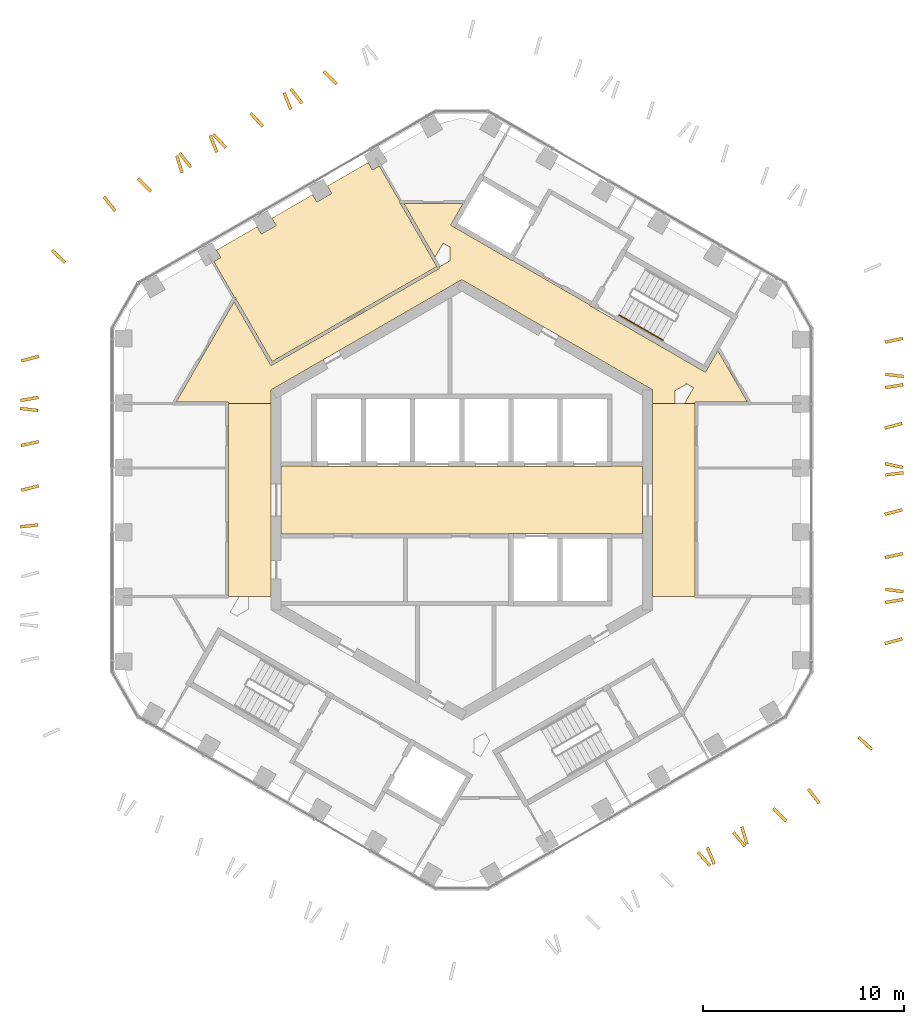
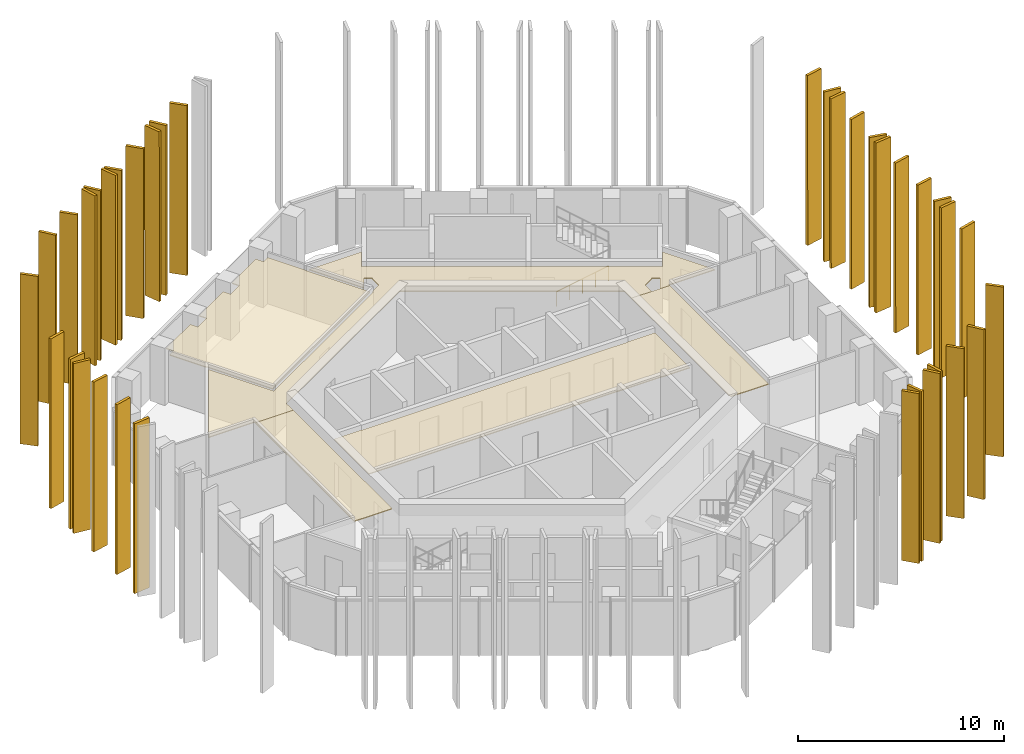
# One storey, part 17 of 18: 35 shading devices, 5 coverings, 2 railings.
"""IFC4 building model written with IfcOpenShell, lengths in metres."""

from ifc_helpers import new_model, si_unit, direction, frame, origin, origin_2d, place, context, subcontext, project, spatial, polyline, circle, outline, extrude, material, layer, layer_set, type_object, element, save


model = new_model("IFC4")

# Units and contexts
model_context = context("Model", 3, precision=1e-05, world=origin(), true_north=direction((0.0, 1.0)))
body_context = subcontext(model_context, "Body", "Model", "MODEL_VIEW")
ifc_project = project(units=[si_unit("LENGTHUNIT", "METRE"), si_unit("AREAUNIT", "SQUARE_METRE"), si_unit("VOLUMEUNIT", "CUBIC_METRE"), si_unit("PLANEANGLEUNIT", "RADIAN"), si_unit("MASSUNIT", "GRAM", prefix="KILO")], contexts=[model_context])

# Site, building, storey
site_placement = place(None, origin())
site = spatial("IfcSite", under=ifc_project, at=site_placement, CompositionType="ELEMENT")
building_placement = place(site_placement, origin())
building = spatial("IfcBuilding", under=site, at=building_placement, Name="Ayvan Gate Tower", CompositionType="ELEMENT")
storey_placement = place(building_placement, frame((0.0, 0.0, 218.89990234375)))
storey = spatial("IfcBuildingStorey", under=building, at=storey_placement, Name="L58", CompositionType="ELEMENT", Elevation=218.89990234375)

# Shading devices
ifc_material_1 = material(Name="Bronze anodised aluminium", Category="aluminium")
ifc_layer_1 = layer(ifc_material_1, 0.14990234375)
ifc_layer_set_1 = layer_set([ifc_layer_1], Name="Bronze anodised aluminium")
shading_device_type = type_object("IfcShadingDeviceType", Name="Bronze fin 900 x 150", PredefinedType="USERDEFINED", material=ifc_layer_set_1)
shading_device_1_placement = place(storey_placement, frame((-6.189697265625, 20.7685546875, 0.0), z_axis=(0.707242402739, 0.706971116815, 0.000154132561), x_axis=(-0.706971125213, 0.70724241114, 0.0)))
element("IfcShadingDevice", 1, at=shading_device_1_placement, inside=storey, type_object=shading_device_type, Name="Bronze fin FG22.1.3", ObjectType="FIN", PredefinedType="USERDEFINED", context=body_context, shape_type="SweptSolid", body=[
    extrude(outline(polyline([(0.0, 0.0), (0.8999384077507213, 0.0), (0.8997654762187762, 10.080078244735436), (-0.0001729315319450762, 10.080078244735436), (0.0, 0.0)])), origin(), (0.0, 0.0, -1.0), 0.14990234375),
])
shading_device_2_placement = place(storey_placement, frame((-7.90576171875, 19.809326171875, 0.0), z_axis=(0.787559375129, 0.616238760112, 0.000145537983), x_axis=(-0.61623876664, 0.787559383469, 1.5546e-08)))
element("IfcShadingDevice", 2, at=shading_device_2_placement, inside=storey, type_object=shading_device_type, Name="Bronze fin FG22.1.5", ObjectType="FIN", PredefinedType="USERDEFINED", context=body_context, shape_type="SweptSolid", body=[
    extrude(outline(polyline([(0.0, 0.0), (0.8999949628946475, 0.0), (0.8998278143136295, 10.080078217765529), (-1.669966338128427e-05, 10.08007824574654), (0.0, 0.0)])), origin(), (0.0, 0.0, -1.0), 0.14990234375),
])
shading_device_3_placement = place(storey_placement, frame((-8.444580078125, 19.471923828125, 0.0), z_axis=(0.929826909875, 0.36799714172, 0.000146145148), x_axis=(-0.367997145646, 0.929826919806, -2.5725e-08)))
element("IfcShadingDevice", 3, at=shading_device_3_placement, inside=storey, type_object=shading_device_type, Name="Bronze fin FG22.1.6", ObjectType="FIN", PredefinedType="USERDEFINED", context=body_context, shape_type="SweptSolid", body=[
    extrude(outline(polyline([(0.0, 0.0), (0.9000124049296467, 0.0), (0.8998701783586058, 10.080078255796698), (-5.061098833905557e-06, 10.080078209493905), (0.0, 0.0)])), origin(), (0.0, 0.0, -1.0), 0.14990234375),
])
shading_device_4_placement = place(storey_placement, frame((-9.85595703125, 18.662353515625, 0.0), z_axis=(0.729198712978, 0.684301991625, 0.000145771221), x_axis=(-0.684301998897, 0.729198720724, 1.4417e-08)))
element("IfcShadingDevice", 4, at=shading_device_4_placement, inside=storey, type_object=shading_device_type, Name="Bronze fin FG22.1.7", ObjectType="FIN", PredefinedType="USERDEFINED", context=body_context, shape_type="SweptSolid", body=[
    extrude(outline(polyline([(0.0, 0.0), (0.9000439708308932, 0.0), (0.900000271696828, 10.080078219122068), (0.00012336678363417827, 10.080078245070878), (0.0, 0.0)])), origin(), (0.0, 0.0, -1.0), 0.14990234375),
])
shading_device_5_placement = place(storey_placement, frame((-11.699951171875, 17.59765625, 0.0), z_axis=(0.729131031612, 0.684374104448, 0.000154600649), x_axis=(-0.684374112627, 0.729131040325, 0.0)))
element("IfcShadingDevice", 5, at=shading_device_5_placement, inside=storey, type_object=shading_device_type, Name="Bronze fin FG22.1.9", ObjectType="FIN", PredefinedType="USERDEFINED", context=body_context, shape_type="SweptSolid", body=[
    extrude(outline(polyline([(0.0, 0.0), (0.9000439752325704, 0.0), (0.9001673508189552, 10.080078245463794), (0.00012337558638494232, 10.080078245463794), (0.0, 0.0)])), origin(), (0.0, 0.0, -1.0), 0.14990234375),
])
shading_device_6_placement = place(storey_placement, frame((-12.13232421875, 17.3427734375, 0.0), z_axis=(0.929873316375, 0.367879859082, 0.000157405046), x_axis=(-0.367879863638, 0.929873327894, -7.854e-09)))
element("IfcShadingDevice", 6, at=shading_device_6_placement, inside=storey, type_object=shading_device_type, Name="Bronze fin FG22.1.10", ObjectType="FIN", PredefinedType="USERDEFINED", context=body_context, shape_type="SweptSolid", body=[
    extrude(outline(polyline([(0.0, 0.0), (0.9000124177528436, 0.0), (0.8998701655374355, 10.080078256941269), (8.476764003493819e-05, 10.08007824280581), (0.0, 0.0)])), origin(), (0.0, 0.0, -1.0), 0.14990234375),
])
shading_device_7_placement = place(storey_placement, frame((-13.43701171875, 16.61572265625, 0.0), z_axis=(0.787545056681, 0.616257058302, 0.000147612502), x_axis=(-0.616257065015, 0.787545065263, -1.2336e-08)))
element("IfcShadingDevice", 7, at=shading_device_7_placement, inside=storey, type_object=shading_device_type, Name="Bronze fin FG22.1.11", ObjectType="FIN", PredefinedType="USERDEFINED", context=body_context, shape_type="SweptSolid", body=[
    extrude(outline(polyline([(0.0, 0.0), (0.9001872366298778, -1.3552527156068805e-20), (0.9001702922327716, 10.080078245923879), (0.0001753273473427226, 10.08007822371745), (0.0, 0.0)])), origin(), (0.0, 0.0, -1.0), 0.14990234375),
])
shading_device_8_placement = place(storey_placement, frame((-13.86181640625, 16.31201171875, 0.0), z_axis=(0.956042541159, 0.293227971909, 0.000126430311), x_axis=(-0.293227974252, 0.9560425488, -5.027e-09)))
element("IfcShadingDevice", 8, at=shading_device_8_placement, inside=storey, type_object=shading_device_type, Name="Bronze fin FG22.1.12", ObjectType="FIN", PredefinedType="USERDEFINED", context=body_context, shape_type="SweptSolid", body=[
    extrude(outline(polyline([(0.0, 0.0), (0.9001536681363617, -6.776263578034403e-21), (0.9000447441127365, 10.080078210088082), (0.00012448480176556774, 10.080078201038253), (0.0, 0.0)])), origin(), (0.0, 0.0, -1.0), 0.14990234375),
])
shading_device_9_placement = place(storey_placement, frame((-15.43798828125, 15.428955078125, 0.0), z_axis=(0.707242404502, 0.706971118578, 0.000137009642), x_axis=(-0.706971125213, 0.70724241114, 0.0)))
element("IfcShadingDevice", 9, at=shading_device_9_placement, inside=storey, type_object=shading_device_type, Name="Bronze fin FG22.1.13", ObjectType="FIN", PredefinedType="USERDEFINED", context=body_context, shape_type="SweptSolid", body=[
    extrude(outline(polyline([(0.0, 0.0), (0.8999384077507213, 0.0), (0.8999381428230584, 10.08007821960981), (-2.6492766288025143e-07, 10.08007821960981), (0.0, 0.0)])), origin(), (0.0, 0.0, -1.0), 0.14990234375),
])
shading_device_10_placement = place(storey_placement, frame((-17.205078125, 14.439453125, 0.0), z_axis=(0.784559801575, 0.620053139637, 0.000147572781), x_axis=(-0.620053146391, 0.784559810117, 1.2411e-08)))
element("IfcShadingDevice", 10, at=shading_device_10_placement, inside=storey, type_object=shading_device_type, Name="Bronze fin FG22.1.15", ObjectType="FIN", PredefinedType="USERDEFINED", context=body_context, shape_type="SweptSolid", body=[
    extrude(outline(polyline([(0.0, 0.0), (0.8999971834735883, 0.0), (0.9001795806229507, 10.080078223588533), (-9.145773029560648e-06, 10.080078245930503), (0.0, 0.0)])), origin(), (0.0, 0.0, -1.0), 0.14990234375),
])
shading_device_11_placement = place(storey_placement, frame((-19.705810546875, 11.869873046875, 0.0), z_axis=(0.690159573719, 0.723657198932, 0.000145734734), x_axis=(-0.723657206618, 0.690159581046, 1.4304e-08)))
element("IfcShadingDevice", 11, at=shading_device_11_placement, inside=storey, type_object=shading_device_type, Name="Bronze fin FG22.2.16", ObjectType="FIN", PredefinedType="USERDEFINED", context=body_context, shape_type="SweptSolid", body=[
    extrude(outline(polyline([(0.0, 0.0), (0.9000203616792715, 1.3552527156068805e-20), (0.9000532183884126, 10.080078219169192), (-0.00013563928232519968, 10.080078244919159), (0.0, 0.0)])), origin(), (0.0, 0.0, -1.0), 0.14990234375),
])
shading_device_12_placement = place(storey_placement, frame((-21.081787109375, 7.231201171875, 0.0), z_axis=(-0.256075224409, 0.96665684553, 0.000149778481), x_axis=(-0.966656856373, -0.256075227282, 5.203e-09)))
element("IfcShadingDevice", 12, at=shading_device_12_placement, inside=storey, type_object=shading_device_type, Name="Bronze fin FG22.3.17", ObjectType="FIN", PredefinedType="USERDEFINED", context=body_context, shape_type="SweptSolid", body=[
    extrude(outline(polyline([(0.0, 0.0), (0.8998860824732329, -6.776263578034403e-21), (0.900025244905288, 10.080078233383514), (-9.683777702019761e-05, 10.080078242748646), (0.0, 0.0)])), origin(), (0.0, 0.0, -1.0), 0.14990234375),
])
shading_device_13_placement = place(storey_placement, frame((-21.103271484375, 5.18359375, 0.0), z_axis=(-0.170597136293, 0.985340852388, 0.000147322279), x_axis=(-0.985340863081, -0.170597138144, 0.0)))
element("IfcShadingDevice", 13, at=shading_device_13_placement, inside=storey, type_object=shading_device_type, Name="Bronze fin FG22.3.19", ObjectType="FIN", PredefinedType="USERDEFINED", context=body_context, shape_type="SweptSolid", body=[
    extrude(outline(polyline([(0.0, 0.0), (0.9001584363929698, 0.0), (0.9001677728103975, 10.080078234388273), (9.336417427810627e-06, 10.080078234388273), (0.0, 0.0)])), origin(), (0.0, 0.0, -1.0), 0.14990234375),
])
shading_device_14_placement = place(storey_placement, frame((-21.09375, 4.532958984375, 0.0), z_axis=(0.11555064787, 0.993301578638, 0.000147145905), x_axis=(-0.993301589392, 0.115550649121, 0.0)))
element("IfcShadingDevice", 14, at=shading_device_14_placement, inside=storey, type_object=shading_device_type, Name="Bronze fin FG22.3.20", ObjectType="FIN", PredefinedType="USERDEFINED", context=body_context, shape_type="SweptSolid", body=[
    extrude(outline(polyline([(0.0, 0.0), (0.9000720207219933, 0.0), (0.9001452623466676, 10.08007823412651), (7.324162467432557e-05, 10.08007823412651), (0.0, 0.0)])), origin(), (0.0, 0.0, -1.0), 0.14990234375),
])
shading_device_15_placement = place(storey_placement, frame((-21.09521484375, 2.975341796875, 0.0), z_axis=(-0.208046907722, 0.978118838652, 0.000147179809), x_axis=(-0.978118849246, -0.208046909975, 0.0)))
element("IfcShadingDevice", 15, at=shading_device_15_placement, inside=storey, type_object=shading_device_type, Name="Bronze fin FG22.3.21", ObjectType="FIN", PredefinedType="USERDEFINED", context=body_context, shape_type="SweptSolid", body=[
    extrude(outline(polyline([(0.0, 0.0), (0.9000655640456651, 3.3881317890172014e-21), (0.9001315217142702, 10.080078234176804), (6.595766860521405e-05, 10.080078234176804), (0.0, 0.0)])), origin(), (0.0, 0.0, -1.0), 0.14990234375),
])
shading_device_16_placement = place(storey_placement, frame((-21.085693359375, 0.77978515625, 0.0), z_axis=(-0.242790931465, 0.970078626727, 0.000146852904), x_axis=(-0.970078637187, -0.242790934083, 0.0)))
element("IfcShadingDevice", 16, at=shading_device_16_placement, inside=storey, type_object=shading_device_type, Name="Bronze fin FG22.3.23", ObjectType="FIN", PredefinedType="USERDEFINED", context=body_context, shape_type="SweptSolid", body=[
    extrude(outline(polyline([(0.0, 0.0), (0.8999753644008668, -6.776263578034403e-21), (0.9000941795784336, 10.080078233692353), (0.0001188151775668181, 10.080078233692353), (0.0, 0.0)])), origin(), (0.0, 0.0, -1.0), 0.14990234375),
])
shading_device_17_placement = place(storey_placement, frame((-21.111572265625, -1.164794921875, 0.0), z_axis=(-0.112039218929, 0.993703774662, 0.000147119305), x_axis=(-0.993703785416, -0.112039220141, 0.0)))
element("IfcShadingDevice", 17, at=shading_device_17_placement, inside=storey, type_object=shading_device_type, Name="Bronze fin FG22.3.25", ObjectType="FIN", PredefinedType="USERDEFINED", context=body_context, shape_type="SweptSolid", body=[
    extrude(outline(polyline([(0.0, 0.0), (0.8999534091546, -1.6940658945086007e-21), (0.8998749256427422, 10.080078234087063), (-7.848351185778366e-05, 10.080078234087063), (0.0, 0.0)])), origin(), (0.0, 0.0, -1.0), 0.14990234375),
])
shading_device_18_placement = place(storey_placement, frame((11.697998046875, -17.60107421875, 0.0), z_axis=(-0.73384581592, -0.679316052889, 0.000136907757), x_axis=(0.679316059255, -0.733845822798, 0.0)))
element("IfcShadingDevice", 18, at=shading_device_18_placement, inside=storey, type_object=shading_device_type, Name="Bronze fin FG22.7.57", ObjectType="FIN", PredefinedType="USERDEFINED", context=body_context, shape_type="SweptSolid", body=[
    extrude(outline(polyline([(0.0, 0.0), (0.8999170808211545, 0.0), (0.8998638290989451, 10.080078219469154), (-5.3251722209435304e-05, 10.080078219469154), (0.0, 0.0)])), origin(), (0.0, 0.0, -1.0), 0.14990234375),
])
shading_device_19_placement = place(storey_placement, frame((12.160400390625, -17.330322265625, 0.0), z_axis=(-0.925577191903, -0.378558901319, 0.000141634188), x_axis=(0.378558905114, -0.925577201188, -1.7782e-08)))
element("IfcShadingDevice", 19, at=shading_device_19_placement, inside=storey, type_object=shading_device_type, Name="Bronze fin FG22.7.58", ObjectType="FIN", PredefinedType="USERDEFINED", context=body_context, shape_type="SweptSolid", body=[
    extrude(outline(polyline([(0.0, 0.0), (0.8999411823943508, -1.3552527156068805e-20), (0.9000435908054206, 10.080078242108842), (9.986803376001265e-06, 10.08007821010198), (0.0, 0.0)])), origin(), (0.0, 0.0, -1.0), 0.14990234375),
])
shading_device_20_placement = place(storey_placement, frame((13.469482421875, -16.594970703125, 0.0), z_axis=(-0.780114025682, -0.625637343614, 0.000145637049), x_axis=(0.625637350251, -0.780114033953, 1.5408e-08)))
element("IfcShadingDevice", 20, at=shading_device_20_placement, inside=storey, type_object=shading_device_type, Name="Bronze fin FG22.7.59", ObjectType="FIN", PredefinedType="USERDEFINED", context=body_context, shape_type="SweptSolid", body=[
    extrude(outline(polyline([(0.0, 0.0), (0.9001350900094673, 0.0), (0.8999843891818949, 10.080078218033472), (2.0426661410725266e-06, 10.080078245768792), (0.0, 0.0)])), origin(), (0.0, 0.0, -1.0), 0.14990234375),
])
shading_device_21_placement = place(storey_placement, frame((13.874267578125, -16.30126953125, 0.0), z_axis=(-0.958291662014, -0.285792007341, 0.000138037496), x_axis=(0.285792010062, -0.958291671144, -1.2594e-08)))
element("IfcShadingDevice", 21, at=shading_device_21_placement, inside=storey, type_object=shading_device_type, Name="Bronze fin FG22.7.60", ObjectType="FIN", PredefinedType="USERDEFINED", context=body_context, shape_type="SweptSolid", body=[
    extrude(outline(polyline([(0.0, 0.0), (0.8998108322942621, 6.776263578034403e-21), (0.8999953880625641, 10.080078232368804), (-0.00011917559917996192, 10.080078209701364), (0.0, 0.0)])), origin(), (0.0, 0.0, -1.0), 0.14990234375),
])
shading_device_22_placement = place(storey_placement, frame((15.460205078125, -15.416259765625, 0.0), z_axis=(-0.707242402739, -0.706971116815, 0.000154132561), x_axis=(0.706971125213, -0.70724241114, 0.0)))
element("IfcShadingDevice", 22, at=shading_device_22_placement, inside=storey, type_object=shading_device_type, Name="Bronze fin FG22.7.61", ObjectType="FIN", PredefinedType="USERDEFINED", context=body_context, shape_type="SweptSolid", body=[
    extrude(outline(polyline([(0.0, 0.0), (0.8999384077507213, 0.0), (0.8997654762187762, 10.080078244735436), (-0.0001729315319450762, 10.080078244735436), (0.0, 0.0)])), origin(), (0.0, 0.0, -1.0), 0.14990234375),
])
shading_device_23_placement = place(storey_placement, frame((17.196533203125, -14.4462890625, 0.0), z_axis=(-0.791240242292, -0.611505402409, 0.000147657191), x_axis=(0.611505409077, -0.791240250916, 1.2249e-08)))
element("IfcShadingDevice", 23, at=shading_device_23_placement, inside=storey, type_object=shading_device_type, Name="Bronze fin FG22.7.63", ObjectType="FIN", PredefinedType="USERDEFINED", context=body_context, shape_type="SweptSolid", body=[
    extrude(outline(polyline([(0.0, 0.0), (0.8998021884107748, 1.3552527156068805e-20), (0.8999692567822267, 10.08007822386203), (-2.6105517931868006e-05, 10.080078245908627), (0.0, 0.0)])), origin(), (0.0, 0.0, -1.0), 0.14990234375),
])
shading_device_24_placement = place(storey_placement, frame((19.712158203125, -11.864013671875, 0.0), z_axis=(-0.685977981066, -0.72762228405, 0.000145761776), x_axis=(0.727622291781, -0.685977988352, 1.4388e-08)))
element("IfcShadingDevice", 24, at=shading_device_24_placement, inside=storey, type_object=shading_device_type, Name="Bronze fin FG22.8.64", ObjectType="FIN", PredefinedType="USERDEFINED", context=body_context, shape_type="SweptSolid", body=[
    extrude(outline(polyline([(0.0, 0.0), (0.899813315700764, -1.3552527156068805e-20), (0.8998541290002842, 10.080078219135862), (-0.00012666179529246838, 10.080078245031709), (0.0, 0.0)])), origin(), (0.0, 0.0, -1.0), 0.14990234375),
])
shading_device_25_placement = place(storey_placement, frame((21.081298828125, -7.2236328125, 0.0), z_axis=(0.257730189349, -0.966216915121, 0.000149774675), x_axis=(0.966216925958, 0.25773019224, 5.237e-09)))
element("IfcShadingDevice", 25, at=shading_device_25_placement, inside=storey, type_object=shading_device_type, Name="Bronze fin FG22.9.65", ObjectType="FIN", PredefinedType="USERDEFINED", context=body_context, shape_type="SweptSolid", body=[
    extrude(outline(polyline([(0.0, 0.0), (0.8997905654210978, -6.776263578034403e-21), (0.8999322598663183, 10.080078233347606), (-9.419835896850436e-05, 10.080078242773027), (0.0, 0.0)])), origin(), (0.0, 0.0, -1.0), 0.14990234375),
])
shading_device_26_placement = place(storey_placement, frame((21.10546875, -5.175537109375, 0.0), z_axis=(0.158720600167, -0.987323528221, 0.000147322752), x_axis=(0.987323538935, 0.15872060189, 0.0)))
element("IfcShadingDevice", 26, at=shading_device_26_placement, inside=storey, type_object=shading_device_type, Name="Bronze fin FG22.9.67", ObjectType="FIN", PredefinedType="USERDEFINED", context=body_context, shape_type="SweptSolid", body=[
    extrude(outline(polyline([(0.0, 0.0), (0.8998344507546673, 0.0), (0.8998259058504691, 10.080078234388976), (-8.54490419829651e-06, 10.080078234388976), (0.0, 0.0)])), origin(), (0.0, 0.0, -1.0), 0.14990234375),
])
shading_device_27_placement = place(storey_placement, frame((21.09033203125, -4.525146484375, 0.0), z_axis=(-0.128307005434, -0.991734485979, 0.000147227134), x_axis=(0.991734496728, -0.128307006825, 0.0)))
element("IfcShadingDevice", 27, at=shading_device_27_placement, inside=storey, type_object=shading_device_type, Name="Bronze fin FG22.9.68", ObjectType="FIN", PredefinedType="USERDEFINED", context=body_context, shape_type="SweptSolid", body=[
    extrude(outline(polyline([(0.0, 0.0), (0.9000172202794061, 0.0), (0.9000713932422425, 10.08007823424703), (5.4172962836348013e-05, 10.08007823424703), (0.0, 0.0)])), origin(), (0.0, 0.0, -1.0), 0.14990234375),
])
shading_device_28_placement = place(storey_placement, frame((21.093017578125, -2.941650390625, 0.0), z_axis=(0.216729406144, -0.976231705523, 0.00014711586), x_axis=(0.976231716088, 0.21672940849, 0.0)))
element("IfcShadingDevice", 28, at=shading_device_28_placement, inside=storey, type_object=shading_device_type, Name="Bronze fin FG22.9.69", ObjectType="FIN", PredefinedType="USERDEFINED", context=body_context, shape_type="SweptSolid", body=[
    extrude(outline(polyline([(0.0, 0.0), (0.9000548690388707, 6.776263578034403e-21), (0.9001340059370273, 10.080078234081952), (7.913689815672304e-05, 10.080078234081952), (0.0, 0.0)])), origin(), (0.0, 0.0, -1.0), 0.14990234375),
])
shading_device_29_placement = place(storey_placement, frame((21.08740234375, -0.781005859375, 0.0), z_axis=(0.237905286933, -0.971288346482, 0.000149791417), x_axis=(0.971288357378, 0.237905289603, 4.834e-09)))
element("IfcShadingDevice", 29, at=shading_device_29_placement, inside=storey, type_object=shading_device_type, Name="Bronze fin FG22.9.71", ObjectType="FIN", PredefinedType="USERDEFINED", context=body_context, shape_type="SweptSolid", body=[
    extrude(outline(polyline([(0.0, 0.0), (0.8998670064444957, -6.776263578034403e-21), (0.8999784183033415, 10.08007823373506), (-0.00012571908777987004, 10.080078242436445), (0.0, 0.0)])), origin(), (0.0, 0.0, -1.0), 0.14990234375),
])
shading_device_30_placement = place(storey_placement, frame((21.1103515625, 1.173095703125, 0.0), z_axis=(0.121797533505, -0.992554955671, 0.000144238755), x_axis=(0.992554965996, 0.121797534772, 0.0)))
element("IfcShadingDevice", 30, at=shading_device_30_placement, inside=storey, type_object=shading_device_type, Name="Bronze fin FG22.9.73", ObjectType="FIN", PredefinedType="USERDEFINED", context=body_context, shape_type="SweptSolid", body=[
    extrude(outline(polyline([(0.0, 0.0), (0.9000111605693982, 0.0), (0.900189574926975, 10.0800782298571), (0.00017841435757675887, 10.0800782298571), (0.0, 0.0)])), origin(), (0.0, 0.0, -1.0), 0.14990234375),
])
shading_device_31_placement = place(storey_placement, frame((21.0625, 1.737548828125, 0.0), z_axis=(-0.212159309872, -0.977235082046, 0.000147150983), x_axis=(0.977235092626, -0.212159312169, 0.0)))
element("IfcShadingDevice", 31, at=shading_device_31_placement, inside=storey, type_object=shading_device_type, Name="Bronze fin FG22.9.74", ObjectType="FIN", PredefinedType="USERDEFINED", context=body_context, shape_type="SweptSolid", body=[
    extrude(outline(polyline([(0.0, 0.0), (0.8998802211316977, -3.3881317890172014e-21), (0.899808023675548, 10.080078234134042), (-7.219745614974192e-05, 10.080078234134042), (0.0, 0.0)])), origin(), (0.0, 0.0, -1.0), 0.14990234375),
])
shading_device_32_placement = place(storey_placement, frame((21.081298828125, 3.50634765625, 0.0), z_axis=(0.257156106989, -0.966369864082, 0.000149776045), x_axis=(0.966369874921, 0.257156109873, -5.223e-09)))
element("IfcShadingDevice", 32, at=shading_device_32_placement, inside=storey, type_object=shading_device_type, Name="Bronze fin FG22.9.75", ObjectType="FIN", PredefinedType="USERDEFINED", context=body_context, shape_type="SweptSolid", body=[
    extrude(outline(polyline([(0.0, 0.0), (0.9001366837166541, 1.3552527156068805e-20), (0.9000414642957211, 10.080078242763653), (0.00014071072431124458, 10.080078233361608), (0.0, 0.0)])), origin(), (0.0, 0.0, -1.0), 0.14990234375),
])
shading_device_33_placement = place(storey_placement, frame((21.103759765625, 5.517333984375, 0.0), z_axis=(0.167917138738, -0.985801102055, 0.000147324253), x_axis=(0.985801112754, 0.16791714056, 0.0)))
element("IfcShadingDevice", 33, at=shading_device_33_placement, inside=storey, type_object=shading_device_type, Name="Bronze fin FG22.9.77", ObjectType="FIN", PredefinedType="USERDEFINED", context=body_context, shape_type="SweptSolid", body=[
    extrude(outline(polyline([(0.0, 0.0), (0.8999858285529956, 0.0), (0.8999911268270692, 10.080078234391204), (5.298274073601693e-06, 10.080078234391204), (0.0, 0.0)])), origin(), (0.0, 0.0, -1.0), 0.14990234375),
])
shading_device_34_placement = place(storey_placement, frame((21.092529296875, 6.183837890625, 0.0), z_axis=(-0.12016125373, -0.992754376188, 0.000147178054), x_axis=(0.99275438694, -0.120161255031, 0.0)))
element("IfcShadingDevice", 34, at=shading_device_34_placement, inside=storey, type_object=shading_device_type, Name="Bronze fin FG22.9.78", ObjectType="FIN", PredefinedType="USERDEFINED", context=body_context, shape_type="SweptSolid", body=[
    extrude(outline(polyline([(0.0, 0.0), (0.900076292036263, 0.0), (0.9001426462493374, 10.0800782341742), (6.635421307434592e-05, 10.0800782341742), (0.0, 0.0)])), origin(), (0.0, 0.0, -1.0), 0.14990234375),
])
shading_device_35_placement = place(storey_placement, frame((21.093994140625, 7.7841796875, 0.0), z_axis=(0.213510782556, -0.976940696297, 0.000147140936), x_axis=(0.976940706873, 0.213510784868, 0.0)))
element("IfcShadingDevice", 35, at=shading_device_35_placement, inside=storey, type_object=shading_device_type, Name="Bronze fin FG22.9.79", ObjectType="FIN", PredefinedType="USERDEFINED", context=body_context, shape_type="SweptSolid", body=[
    extrude(outline(polyline([(0.0, 0.0), (0.8999014827001781, 0.0), (0.8999757317241854, 10.080078234119142), (7.424902400730279e-05, 10.080078234119142), (0.0, 0.0)])), origin(), (0.0, 0.0, -1.0), 0.14990234375),
])

# Coverings
ifc_material_2 = material(Name="Plasterboard suspended ceiling")
ifc_layer_2 = layer(ifc_material_2, 0.050048828125)
ifc_layer_set_2 = layer_set([ifc_layer_2], Name="Plasterboard suspended ceiling")
covering_type = type_object("IfcCoveringType", Name="CT-SUSP-50", PredefinedType="CEILING", material=ifc_layer_set_2)
covering_1_placement = place(storey_placement, frame((0.0, 0.0, 2.7001953125)))
element("IfcCovering", 36, at=covering_1_placement, inside=storey, type_object=covering_type, Name="Ceiling Lift Lobby L58", PredefinedType="CEILING", context=body_context, shape_type="SweptSolid", body=[
    extrude(outline(polyline([(7.47509765625, -1.675048828125), (2.324951171875, -1.675048828125), (2.324951171875, -1.699951171875), (-9.0, -1.699951171875), (-9.0, 1.699951171875), (-7.47509765625, 1.699951171875), (-7.47509765625, 1.675048828125), (7.47509765625, 1.675048828125), (7.47509765625, 1.699951171875), (9.0, 1.699951171875), (9.0, -1.699951171875), (7.47509765625, -1.699951171875), (7.47509765625, -1.675048828125)])), origin(), (0.0, 0.0, 1.0), 0.0498046875),
])
covering_2_placement = place(storey_placement, frame((0.0, 0.0, 2.7001953125)))
element("IfcCovering", 37, at=covering_2_placement, inside=storey, type_object=covering_type, Name="Ceiling Gallery L58", PredefinedType="CEILING", context=body_context, shape_type="SweptSolid", body=[
    extrude(outline(polyline([(-14.2236328125, 4.8857421875), (-11.343017578125, 9.875), (-9.503662109375, 6.689453125), (-9.39111328125, 6.75439453125), (-1.106201171875, 11.53759765625), (-1.143798828125, 11.6025390625), (-0.60009765625, 11.91650390625), (-0.60009765625, 12.56298828125), (-0.53955078125, 12.56298828125), (-0.930419921875, 12.78857421875), (-1.336181640625, 12.085693359375), (-2.880615234375, 14.760986328125), (0.06396484375, 14.760986328125), (-0.55615234375, 13.686767578125), (-0.339599609375, 13.561767578125), (2.518310546875, 11.91162109375), (2.53076171875, 11.933349609375), (6.384521484375, 9.70849609375), (6.3720703125, 9.686767578125), (6.588623046875, 9.561767578125), (12.131103515625, 6.36181640625), (12.24609375, 6.56103515625), (12.751220703125, 7.435791015625), (14.2236328125, 4.8857421875), (11.625, 4.8857421875), (11.625, 4.810791015625), (11.09130859375, 4.810791015625), (11.540283203125, 5.58837890625), (11.149658203125, 5.814208984375), (11.1796875, 5.76171875), (10.6201171875, 5.438720703125), (10.6201171875, 4.810791015625), (9.5, 4.810791015625), (9.5, 5.48486328125), (4.66748046875, 8.27490234375), (0.0, 10.9697265625), (-4.667724609375, 8.27490234375), (-8.916259765625, 5.822021484375), (-9.5, 5.48486328125), (-9.5, 4.810791015625), (-11.625, 4.810791015625), (-11.625, 4.8857421875), (-14.2236328125, 4.8857421875)])), origin(), (0.0, 0.0, 1.0), 0.0498046875),
])
covering_3_placement = place(storey_placement, frame((0.0, 0.0, 2.7001953125)))
element("IfcCovering", 38, at=covering_3_placement, inside=storey, type_object=covering_type, Name="Ceiling Lift Lounge Lobby L58", PredefinedType="CEILING", context=body_context, shape_type="SweptSolid", body=[
    extrude(outline(polyline([(11.625, -4.810791015625), (9.5, -4.810791015625), (9.5, 4.810791015625), (11.625, 4.810791015625), (11.625, -4.73583984375), (11.625, -4.73583984375), (11.625, -4.810791015625)])), origin(), (0.0, 0.0, 1.0), 0.0498046875),
])
covering_4_placement = place(storey_placement, frame((0.0, 0.0, 2.7001953125)))
element("IfcCovering", 39, at=covering_4_placement, inside=storey, type_object=covering_type, Name="Ceiling Lift Lounge Lobby L58", PredefinedType="CEILING", context=body_context, shape_type="SweptSolid", body=[
    extrude(outline(polyline([(-11.625, -4.73583984375), (-11.625, 4.810791015625), (-9.5, 4.810791015625), (-9.5, -4.810791015625), (-11.625, -4.810791015625), (-11.625, -4.73583984375)])), origin(), (0.0, 0.0, 1.0), 0.0498046875),
])
covering_5_placement = place(storey_placement, frame((0.0, 0.0, 2.7001953125)))
element("IfcCovering", 40, at=covering_5_placement, inside=storey, type_object=covering_type, Name="Ceiling Study Lounge L58", PredefinedType="CEILING", context=body_context, shape_type="SweptSolid", body=[
    extrude(outline(polyline([(-12.354248046875, 11.876708984375), (-12.01171875, 12.07421875), (-12.22412109375, 12.4423828125), (-10.194580078125, 13.614013671875), (-9.982177734375, 13.24609375), (-9.24609375, 13.671142578125), (-9.45849609375, 14.0390625), (-7.428955078125, 15.2109375), (-7.216552734375, 14.8427734375), (-6.48046875, 15.267822265625), (-6.69287109375, 15.635986328125), (-4.663330078125, 16.8076171875), (-4.450927734375, 16.439453125), (-4.1083984375, 16.63720703125), (-3.08544921875, 14.865966796875), (-3.08544921875, 14.760986328125), (-2.990234375, 14.760986328125), (-3.0380859375, 14.7333984375), (-1.4443359375, 11.97314453125), (-1.24609375, 11.6298828125), (-9.44873046875, 6.894287109375), (-11.240478515625, 9.997802734375), (-11.2880859375, 9.97021484375), (-11.240478515625, 10.052490234375), (-11.331298828125, 10.10498046875), (-12.354248046875, 11.876708984375)])), origin(), (0.0, 0.0, 1.0), 0.0498046875),
])

# Railings
ifc_material_3 = material(Name="Stainless steel balustrade", Category="steel")
railing_type = type_object("IfcRailingType", Name="RL-HANDRAIL-900", PredefinedType="HANDRAIL", material=ifc_material_3)
railing_1_placement = place(storey_placement, frame((7.8310546875, 9.2138671875, 0.170166015625)))
element("IfcRailing", 41, at=railing_1_placement, inside=storey, type_object=railing_type, Name="L58 STS1 stair handrail 1", PredefinedType="HANDRAIL", context=body_context, shape_type="SweptSolid", body=[
    extrude(circle(Radius=0.02392578125, at=origin_2d()), frame((0.0, 0.0, 0.8759765625), z_axis=(0.740356597536, -0.427319915356, 0.518912129772), x_axis=(0.499890179513, 0.866088799389, 0.0)), (0.0, 0.0, 1.0), 1.47412109375),
    extrude(circle(Radius=0.02099609375, at=origin_2d()), origin(), (0.0, 0.0, 1.0), 0.851806640625),
    extrude(circle(Radius=0.02099609375, at=origin_2d()), frame((0.545654296875, -0.31494140625, 0.38232421875)), (0.0, 0.0, 1.0), 0.851806640625),
    extrude(circle(Radius=0.02099609375, at=origin_2d()), frame((1.09130859375, -0.6298828125, 0.764892578125)), (0.0, 0.0, 1.0), 0.851806640625),
])
railing_2_placement = place(storey_placement, frame((8.92236328125, 8.583984375, 0.93505859375)))
element("IfcRailing", 42, at=railing_2_placement, inside=storey, type_object=railing_type, Name="L58 STS1 stair handrail 2", PredefinedType="HANDRAIL", context=body_context, shape_type="SweptSolid", body=[
    extrude(circle(Radius=0.02392578125, at=origin_2d()), frame((0.0, 0.0, 0.8759765625), z_axis=(0.740165700939, -0.427470949681, 0.519060037311), x_axis=(0.50011940292, 0.865956455501, 0.0)), (0.0, 0.0, 1.0), 1.47412109375),
    extrude(circle(Radius=0.02099609375, at=origin_2d()), origin(), (0.0, 0.0, 1.0), 0.851806640625),
    extrude(circle(Radius=0.02099609375, at=origin_2d()), frame((0.54541015625, -0.31494140625, 0.382568359375)), (0.0, 0.0, 1.0), 0.851806640625),
    extrude(circle(Radius=0.02099609375, at=origin_2d()), frame((1.091064453125, -0.630126953125, 0.76513671875)), (0.0, 0.0, 1.0), 0.851806640625),
])

save(model, "model.ifc")
